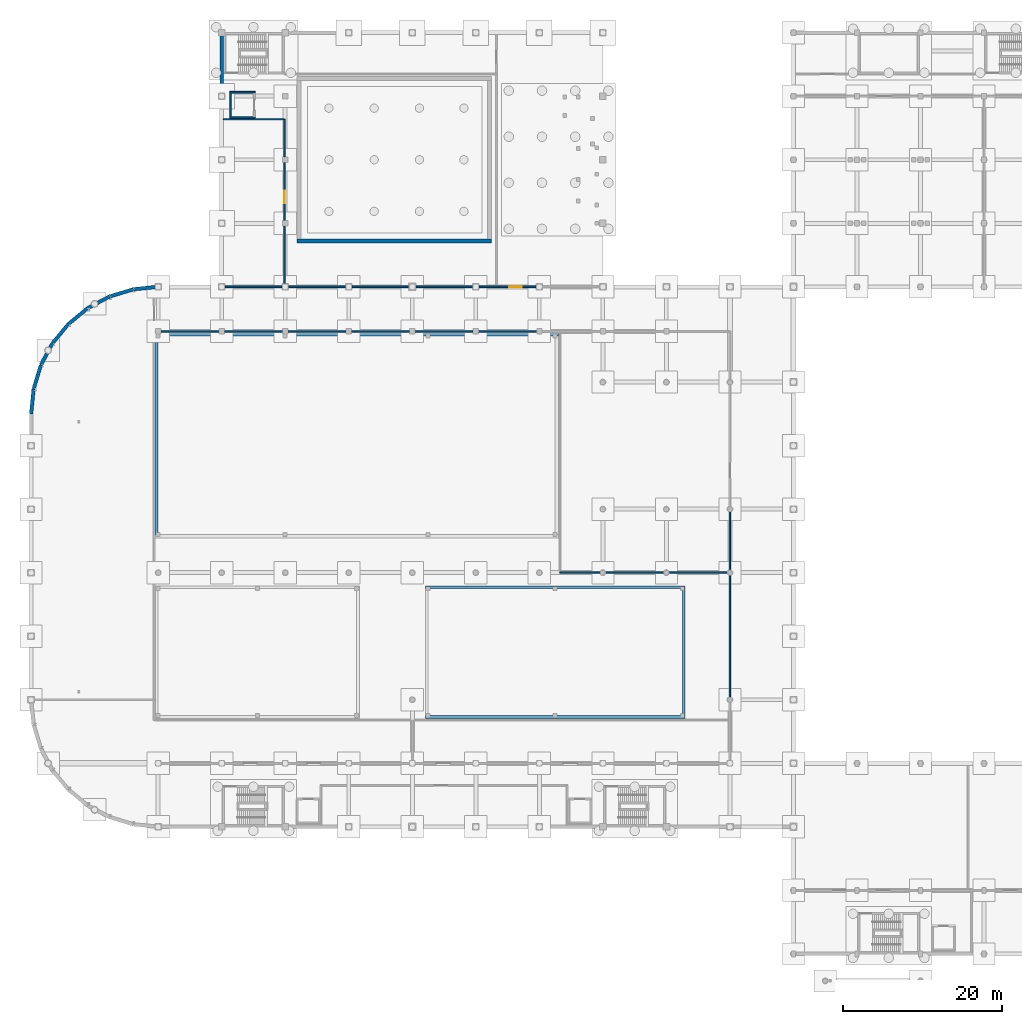
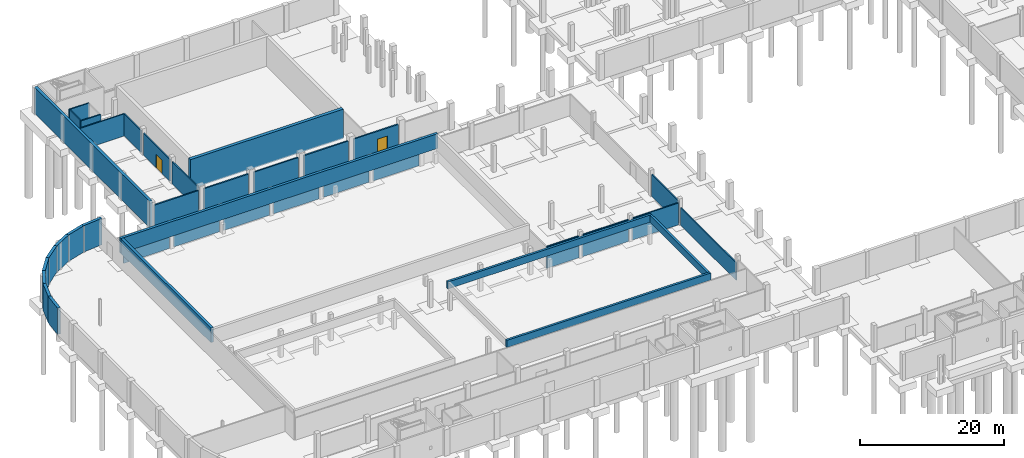
# One storey, part 22 of 29: 38 walls, 2 doors, 2 openings.
"""IFC4 building model written with IfcOpenShell, lengths in metres."""

from ifc_helpers import new_model, si_unit, direction, frame, frame_2d, origin, place, context, subcontext, project, spatial, rectangle, extrude, material, layer, layer_set, type_object, element, fill, save


model = new_model("IFC4")

# Units and contexts
model_context = context("Model", 3, precision=1e-05, world=origin(), true_north=direction((0.0, 1.0)))
body_context = subcontext(model_context, "Body", "Model", "MODEL_VIEW")
ifc_project = project(units=[si_unit("LENGTHUNIT", "METRE"), si_unit("AREAUNIT", "SQUARE_METRE"), si_unit("VOLUMEUNIT", "CUBIC_METRE"), si_unit("PLANEANGLEUNIT", "RADIAN"), si_unit("MASSUNIT", "GRAM", prefix="KILO")], contexts=[model_context])

# Site, building, storey
site_placement = place(None, origin())
site = spatial("IfcSite", under=ifc_project, at=site_placement, CompositionType="ELEMENT")
building_placement = place(site_placement, origin())
building = spatial("IfcBuilding", under=site, at=building_placement, Name="Drelvana Railside Aquatics Centre", CompositionType="ELEMENT")
storey_placement = place(building_placement, frame((0.0, 0.0, -4.800048828125)))
storey = spatial("IfcBuildingStorey", under=building, at=storey_placement, Name="B1", CompositionType="ELEMENT", Elevation=-4.800048828125)

# Walls
ifc_material_1 = material(Name="Concrete blockwork compartment wall", Category="masonry")
ifc_layer_1 = layer(ifc_material_1, 0.18505859375, Name="Concrete blockwork compartment wall")
ifc_layer_set_1 = layer_set([ifc_layer_1], Name="Concrete blockwork compartment wall")
wall_type_1 = type_object("IfcWallType", Name="WL-COMP-185", PredefinedType="STANDARD", material=ifc_layer_set_1)
wall_1_placement = place(storey_placement, frame((88.0, 32.277099609375, 0.0), z_axis=(0.0, 0.0, 1.0), x_axis=(0.0, 1.0, 0.0)))
element("IfcWall", 1, at=wall_1_placement, inside=storey, type_object=wall_type_1, Name="B1 East plant link W wall", PredefinedType="STANDARD", context=body_context, shape_type="SweptSolid", body=[
    extrude(rectangle(XDim=15.44580078125, YDim=0.18505859375, at=frame_2d((7.722900390625, 0.0))), origin(), (0.0, 0.0, 1.0), 2.949951171875),
])
wall_2_placement = place(storey_placement, frame((88.0, 48.277099609375, 0.0), z_axis=(0.0, 0.0, 1.0), x_axis=(0.0, 1.0, 0.0)))
element("IfcWall", 2, at=wall_2_placement, inside=storey, type_object=wall_type_1, Name="B1 East plant link W wall", PredefinedType="STANDARD", context=body_context, shape_type="SweptSolid", body=[
    extrude(rectangle(XDim=7.44580078125, YDim=0.18505859375, at=frame_2d((3.722900390625, 0.0))), origin(), (0.0, 0.0, 1.0), 3.75),
])
wall_3_placement = place(storey_placement, frame((66.60009765625, 48.0, 0.0), z_axis=(0.0, 0.0, 1.0), x_axis=(1.0, 0.0, 0.0)))
element("IfcWall", 3, at=wall_3_placement, inside=storey, type_object=wall_type_1, Name="B1 Calorifier hall S wall", PredefinedType="STANDARD", context=body_context, shape_type="SweptSolid", body=[
    extrude(rectangle(XDim=5.122802734375, YDim=0.18505859375, at=frame_2d((2.5615234375, 0.0))), origin(), (0.0, 0.0, 1.0), 3.699951171875),
])
for number, where, z_axis, x_axis, name in (
    (4, (72.277099609375, 48.0, 0.0), (0.0, 0.0, 1.0), (1.0, 0.0, 0.0), "B1 Calorifier hall S wall"),
    (5, (80.277099609375, 48.0, 0.0), (0.0, 0.0, 1.0), (1.0, 0.0, 0.0), "B1 Calorifier hall S wall"),
):
    element("IfcWall", number, at=place(storey_placement, frame(where, z_axis=z_axis, x_axis=x_axis)), inside=storey, type_object=wall_type_1, Name=name, PredefinedType="STANDARD", context=body_context, shape_type="SweptSolid", body=[
        extrude(rectangle(XDim=7.44580078125, YDim=0.18505859375, at=frame_2d((3.722900390625, 0.0))), origin(), (0.0, 0.0, 1.0), 3.699951171875),
    ])
for number, where, z_axis, x_axis, name in (
    (6, (16.326904296875, 78.39990234375, 0.0), (0.0, 0.0, 1.0), (1.0, 0.0, 0.0), "B1 North plant spine S wall"),
    (7, (24.326904296875, 78.39990234375, 0.0), (0.0, 0.0, 1.0), (1.0, 0.0, 0.0), "B1 North plant spine S wall"),
    (8, (32.326904296875, 78.39990234375, 0.0), (0.0, 0.0, 1.0), (1.0, 0.0, 0.0), "B1 North plant spine S wall"),
    (9, (40.326904296875, 78.39990234375, 0.0), (0.0, 0.0, 1.0), (1.0, 0.0, 0.0), "B1 North plant spine S wall"),
    (10, (48.326904296875, 78.39990234375, 0.0), (0.0, 0.0, 1.0), (1.0, 0.0, 0.0), "B1 North plant spine S wall"),
    (11, (56.326904296875, 78.39990234375, 0.0), (0.0, 0.0, 1.0), (1.0, 0.0, 0.0), "B1 North plant spine S wall"),
):
    element("IfcWall", number, at=place(storey_placement, frame(where, z_axis=z_axis, x_axis=x_axis)), inside=storey, type_object=wall_type_1, Name=name, PredefinedType="STANDARD", context=body_context, shape_type="SweptSolid", body=[
        extrude(rectangle(XDim=7.34619140625, YDim=0.18505859375, at=frame_2d((3.673095703125, 0.0))), origin(), (0.0, 0.0, 1.0), 3.699951171875),
    ])
wall_4_placement = place(storey_placement, frame((31.89990234375, 84.427001953125, 0.0), z_axis=(0.0, 0.0, 1.0), x_axis=(0.0, 1.0, 0.0)))
element("IfcWall", 12, at=wall_4_placement, inside=storey, type_object=wall_type_1, Name="B1 Diving filtration E wall", PredefinedType="STANDARD", context=body_context, shape_type="SweptSolid", body=[
    extrude(rectangle(XDim=7.24609375, YDim=0.18505859375, at=frame_2d((3.623046875, 0.0))), origin(), (0.0, 0.0, 1.0), 3.75),
])

# Wall, opening, door
wall_5_placement = place(storey_placement, frame((31.89990234375, 92.326904296875, 0.0), z_axis=(0.0, 0.0, 1.0), x_axis=(0.0, 1.0, 0.0)))
wall_5 = element("IfcWall", 13, at=wall_5_placement, inside=storey, type_object=wall_type_1, Name="B1 Diving filtration E wall", PredefinedType="STANDARD", context=body_context, shape_type="SweptSolid", body=[
    extrude(rectangle(XDim=7.34619140625, YDim=0.18505859375, at=frame_2d((3.673095703125, 0.0))), origin(), (0.0, 0.0, 1.0), 3.75),
])
opening_1_placement = place(wall_5_placement, frame((2.173095703125, 0.0, 0.0)))
opening_1 = element("IfcOpeningElement", 14, at=opening_1_placement, cuts=wall_5, Name="Opening D-04-112", PredefinedType="OPENING", context=body_context, shape_type="SweptSolid", body=[
    extrude(rectangle(XDim=1.60009765625, YDim=2.300048828125, at=frame_2d((0.800048828125, 1.14990234375))), frame((0.0, 0.1025390625, 0.0), z_axis=(0.0, -1.0, 0.0), x_axis=(1.0, 0.0, 0.0)), (0.0, 0.0, 1.0), 0.205078125),
])
ifc_material_2 = material(Name="Acoustic fire-rated steel plant door", Category="steel")
door_type = type_object("IfcDoorType", Name="DR-INT-PLANT-1600x2300", OperationType="DOUBLE_DOOR_SINGLE_SWING", PredefinedType="DOOR", material=ifc_material_2)
door_1_placement = place(opening_1_placement, origin())
door_1 = element("IfcDoor", 15, at=door_1_placement, inside=storey, type_object=door_type, Name="Diving filtration plant door D-04-112", OperationType="DOUBLE_DOOR_SINGLE_SWING", OverallHeight=2.300048828125, OverallWidth=1.60009765625, PredefinedType="DOOR", context=body_context, shape_type="SweptSolid", body=[
    extrude(rectangle(XDim=1.60009765625, YDim=2.300048828125, at=frame_2d((0.800048828125, 1.14990234375))), frame((0.0, 0.02490234375, 0.0), z_axis=(0.0, -1.0, 0.0), x_axis=(1.0, 0.0, 0.0)), (0.0, 0.0, 1.0), 0.050048828125),
])
fill(opening_1, door_1)

# Walls
wall_6_placement = place(storey_placement, frame((31.89990234375, 100.326904296875, 0.0), z_axis=(0.0, 0.0, 1.0), x_axis=(0.0, 1.0, 0.0)))
element("IfcWall", 16, at=wall_6_placement, inside=storey, type_object=wall_type_1, Name="B1 Diving filtration E wall", PredefinedType="STANDARD", context=body_context, shape_type="SweptSolid", body=[
    extrude(rectangle(XDim=4.773193359375, YDim=0.18505859375, at=frame_2d((2.38671875, 0.0))), origin(), (0.0, 0.0, 1.0), 3.75),
])
wall_7_placement = place(storey_placement, frame((24.219970703125, 105.10009765625, 0.0), z_axis=(0.0, 0.0, 1.0), x_axis=(1.0, 0.0, 0.0)))
element("IfcWall", 17, at=wall_7_placement, inside=storey, type_object=wall_type_1, Name="B1 Diving filtration N wall", PredefinedType="STANDARD", context=body_context, shape_type="SweptSolid", body=[
    extrude(rectangle(XDim=7.679931640625, YDim=0.18505859375, at=frame_2d((3.83984375, 0.0))), origin(), (0.0, 0.0, 1.0), 3.75),
])
ifc_material_3 = material(Name="Autoclaved aerated concrete masonry", Category="masonry")
ifc_layer_2 = layer(ifc_material_3, 0.22509765625, Name="Autoclaved aerated concrete masonry")
ifc_layer_set_2 = layer_set([ifc_layer_2], Name="Autoclaved aerated concrete masonry")
wall_type_2 = type_object("IfcWallType", Name="WL-COMP-225", PredefinedType="STANDARD", material=ifc_layer_set_2)
for number, where, z_axis, x_axis, name in (
    (18, (24.427001953125, 84.0, 0.0), (0.0, 0.0, 1.0), (1.0, 0.0, 0.0), "B1 Pool-Diving compartment wall"),
    (19, (32.427001953125, 84.0, 0.0), (0.0, 0.0, 1.0), (1.0, 0.0, 0.0), "B1 Pool-Diving compartment wall"),
):
    element("IfcWall", number, at=place(storey_placement, frame(where, z_axis=z_axis, x_axis=x_axis)), inside=storey, type_object=wall_type_2, Name=name, PredefinedType="STANDARD", context=body_context, shape_type="SweptSolid", body=[
        extrude(rectangle(XDim=7.14599609375, YDim=0.22509765625, at=frame_2d((3.572998046875, 0.0))), origin(), (0.0, 0.0, 1.0), 3.650146484375),
    ])
for number, where, z_axis, x_axis, name in (
    (20, (40.427001953125, 84.0, 0.0), (0.0, 0.0, 1.0), (1.0, 0.0, 0.0), "B1 Pool-Diving compartment wall"),
    (21, (48.451904296875, 84.0, 0.0), (0.0, 0.0, 1.0), (1.0, 0.0, 0.0), "B1 Pool-Diving compartment wall"),
):
    element("IfcWall", number, at=place(storey_placement, frame(where, z_axis=z_axis, x_axis=x_axis)), inside=storey, type_object=wall_type_2, Name=name, PredefinedType="STANDARD", context=body_context, shape_type="SweptSolid", body=[
        extrude(rectangle(XDim=7.12109375, YDim=0.22509765625, at=frame_2d((3.560546875, 0.0))), origin(), (0.0, 0.0, 1.0), 3.650146484375),
    ])

# Wall, opening, door
wall_8_placement = place(storey_placement, frame((56.427001953125, 84.0, 0.0), z_axis=(0.0, 0.0, 1.0), x_axis=(1.0, 0.0, 0.0)))
wall_8 = element("IfcWall", 22, at=wall_8_placement, inside=storey, type_object=wall_type_2, Name="B1 Pool-Diving compartment wall", PredefinedType="STANDARD", context=body_context, shape_type="SweptSolid", body=[
    extrude(rectangle(XDim=7.14599609375, YDim=0.22509765625, at=frame_2d((3.572998046875, 0.0))), origin(), (0.0, 0.0, 1.0), 3.650146484375),
])
opening_2_placement = place(wall_8_placement, frame((3.77294921875, 0.0, 0.0)))
opening_2 = element("IfcOpeningElement", 23, at=opening_2_placement, cuts=wall_8, Name="Opening D-04-095", PredefinedType="OPENING", context=body_context, shape_type="SweptSolid", body=[
    extrude(rectangle(XDim=1.60009765625, YDim=2.300048828125, at=frame_2d((0.800048828125, 1.14990234375))), frame((0.0, 0.12255859375, 0.0), z_axis=(0.0, -1.0, 0.0), x_axis=(1.0, 0.0, 0.0)), (0.0, 0.0, 1.0), 0.2451171875),
])
door_2_placement = place(opening_2_placement, origin())
door_2 = element("IfcDoor", 24, at=door_2_placement, inside=storey, type_object=door_type, Name="B1 Sparger room south door D-04-095", OperationType="DOUBLE_DOOR_SINGLE_SWING", OverallHeight=2.300048828125, OverallWidth=1.60009765625, PredefinedType="DOOR", context=body_context, shape_type="SweptSolid", body=[
    extrude(rectangle(XDim=1.60009765625, YDim=2.300048828125, at=frame_2d((0.800048828125, 1.14990234375))), frame((0.0, 0.02490234375, 0.0), z_axis=(0.0, -1.0, 0.0), x_axis=(1.0, 0.0, 0.0)), (0.0, 0.0, 1.0), 0.050048828125),
])
fill(opening_2, door_2)

# Walls
ifc_material_4 = material(Name="Waterproof concrete C40/50", Category="concrete")
ifc_layer_3 = layer(ifc_material_4, 0.449951171875, Name="Waterproof concrete C40/50")
ifc_layer_set_3 = layer_set([ifc_layer_3], Name="Waterproof concrete C40/50")
wall_type_3 = type_object("IfcWallType", Name="WL-RET-450", PredefinedType="SOLIDWALL", material=ifc_layer_set_3)
wall_9_placement = place(storey_placement, frame((24.0, 84.0, 0.0), z_axis=(0.0, 0.0, 1.0), x_axis=(0.0, 1.0, 0.0)))
element("IfcWall", 25, at=wall_9_placement, inside=storey, type_object=wall_type_3, Name="Basement retaining wall V2-W", PredefinedType="SOLIDWALL", context=body_context, shape_type="SweptSolid", body=[
    extrude(rectangle(XDim=32.0, YDim=0.449951171875, at=frame_2d((16.0, 0.0))), origin(), (0.0, 0.0, 1.0), 4.469970703125),
])
wall_10_placement = place(storey_placement, frame((16.0, 84.0, 0.0), z_axis=(0.0, 0.0, 1.0), x_axis=(-0.995186340733, -0.098000751113, 0.0)))
element("IfcWall", 26, at=wall_10_placement, inside=storey, type_object=wall_type_3, Name="Basement curved retaining wall V1-NW-1", PredefinedType="SOLIDWALL", context=body_context, shape_type="SweptSolid", body=[
    extrude(rectangle(XDim=3.136474609375, YDim=0.449951171875, at=frame_2d((1.568359375, 0.0))), origin(), (0.0, 0.0, 1.0), 4.469970703125),
])
wall_11_placement = place(storey_placement, frame((12.878662109375, 83.692626953125, 0.0), z_axis=(0.0, 0.0, 1.0), x_axis=(-0.956932713703, -0.29030980253, 0.0)))
element("IfcWall", 27, at=wall_11_placement, inside=storey, type_object=wall_type_3, Name="Basement curved retaining wall V1-NW-2", PredefinedType="SOLIDWALL", context=body_context, shape_type="SweptSolid", body=[
    extrude(rectangle(XDim=3.13671875, YDim=0.449951171875, at=frame_2d((1.568359375, 0.0))), origin(), (0.0, 0.0, 1.0), 4.469970703125),
])
for number, where, z_axis, x_axis, name in (
    (28, (9.876953125, 82.781982421875, 0.0), (0.0, 0.0, 1.0), (-0.881921625826, -0.471396060548, 0.0), "Basement curved retaining wall V1-NW-3"),
    (29, (7.11083984375, 81.303466796875, 0.0), (0.0, 0.0, 1.0), (-0.773016601683, -0.634385792339, 0.0), "Basement curved retaining wall V1-NW-4"),
    (30, (4.686279296875, 79.313720703125, 0.0), (0.0, 0.0, 1.0), (-0.634385792339, -0.773016601683, 0.0), "Basement curved retaining wall V1-NW-5"),
    (31, (2.696533203125, 76.88916015625, 0.0), (0.0, 0.0, 1.0), (-0.471396060548, -0.881921625826, 0.0), "Basement curved retaining wall V1-NW-6"),
):
    element("IfcWall", number, at=place(storey_placement, frame(where, z_axis=z_axis, x_axis=x_axis)), inside=storey, type_object=wall_type_3, Name=name, PredefinedType="SOLIDWALL", context=body_context, shape_type="SweptSolid", body=[
        extrude(rectangle(XDim=3.136474609375, YDim=0.449951171875, at=frame_2d((1.568359375, 0.0))), origin(), (0.0, 0.0, 1.0), 4.469970703125),
    ])
wall_12_placement = place(storey_placement, frame((1.218017578125, 74.123046875, 0.0), z_axis=(0.0, 0.0, 1.0), x_axis=(-0.29030980253, -0.956932713703, 0.0)))
element("IfcWall", 32, at=wall_12_placement, inside=storey, type_object=wall_type_3, Name="Basement curved retaining wall V1-NW-7", PredefinedType="SOLIDWALL", context=body_context, shape_type="SweptSolid", body=[
    extrude(rectangle(XDim=3.13671875, YDim=0.449951171875, at=frame_2d((1.568359375, 0.0))), origin(), (0.0, 0.0, 1.0), 4.469970703125),
])
wall_13_placement = place(storey_placement, frame((0.307373046875, 71.121337890625, 0.0), z_axis=(0.0, 0.0, 1.0), x_axis=(-0.098000751113, -0.995186340733, 0.0)))
element("IfcWall", 33, at=wall_13_placement, inside=storey, type_object=wall_type_3, Name="Basement curved retaining wall V1-NW-8", PredefinedType="SOLIDWALL", context=body_context, shape_type="SweptSolid", body=[
    extrude(rectangle(XDim=3.136474609375, YDim=0.449951171875, at=frame_2d((1.568359375, 0.0))), origin(), (0.0, 0.0, 1.0), 4.469970703125),
])
ifc_material_5 = material(Name="Concrete C40/50", Category="concrete")
ifc_layer_4 = layer(ifc_material_5, 0.199951171875, Name="Concrete C40/50")
ifc_layer_set_4 = layer_set([ifc_layer_4], Name="Concrete C40/50")
wall_type_4 = type_object("IfcWallType", Name="WL-SHFT-200", PredefinedType="SHEAR", material=ifc_layer_set_4)
for number, where, z_axis, x_axis, name in (
    (34, (25.0, 105.300048828125, 0.0), (0.0, 0.0, 1.0), (1.0, 0.0, 0.0), "Lift LG-01 S shaft wall (B1)"),
    (35, (25.0, 108.5, 0.0), (0.0, 0.0, 1.0), (1.0, 0.0, 0.0), "Lift LG-01 N shaft wall (B1)"),
):
    element("IfcWall", number, at=place(storey_placement, frame(where, z_axis=z_axis, x_axis=x_axis)), inside=storey, type_object=wall_type_4, Name=name, PredefinedType="SHEAR", context=body_context, shape_type="SweptSolid", body=[
        extrude(rectangle(XDim=3.199951171875, YDim=0.199951171875, at=frame_2d((1.60009765625, 0.0))), origin(), (0.0, 0.0, 1.0), 4.800048828125),
    ])
wall_14_placement = place(storey_placement, frame((25.10009765625, 105.39990234375, 0.0), z_axis=(0.0, 0.0, 1.0), x_axis=(0.0, 1.0, 0.0)))
element("IfcWall", 36, at=wall_14_placement, inside=storey, type_object=wall_type_4, Name="Lift LG-01 W shaft wall (B1)", PredefinedType="SHEAR", context=body_context, shape_type="SweptSolid", body=[
    extrude(rectangle(XDim=3.0, YDim=0.199951171875, at=frame_2d((1.5, 0.0))), origin(), (0.0, 0.0, 1.0), 4.800048828125),
])
ifc_layer_5 = layer(ifc_material_4, 0.35009765625, Name="Waterproof concrete C40/50")
ifc_layer_set_5 = layer_set([ifc_layer_5], Name="Waterproof concrete C40/50")
wall_type_5 = type_object("IfcWallType", Name="WL-TK-350", PredefinedType="SOLIDWALL", material=ifc_layer_set_5)
for number, where, z_axis, x_axis, name in (
    (37, (49.64990234375, 29.824951171875, 3.60009765625), (0.0, 0.0, 1.0), (1.0, 0.0, 0.0), "Leisure Pool S tank wall"),
    (38, (49.64990234375, 46.175048828125, 3.60009765625), (0.0, 0.0, 1.0), (1.0, 0.0, 0.0), "Leisure Pool N tank wall"),
):
    element("IfcWall", number, at=place(storey_placement, frame(where, z_axis=z_axis, x_axis=x_axis)), inside=storey, type_object=wall_type_5, Name=name, PredefinedType="SOLIDWALL", context=body_context, shape_type="SweptSolid", body=[
        extrude(rectangle(XDim=32.7001953125, YDim=0.35009765625, at=frame_2d((16.35009765625, 0.0))), origin(), (0.0, 0.0, 1.0), 1.199951171875),
    ])
wall_15_placement = place(storey_placement, frame((82.175048828125, 30.0, 3.60009765625), z_axis=(0.0, 0.0, 1.0), x_axis=(0.0, 1.0, 0.0)))
element("IfcWall", 39, at=wall_15_placement, inside=storey, type_object=wall_type_5, Name="Leisure Pool E tank wall", PredefinedType="SOLIDWALL", context=body_context, shape_type="SweptSolid", body=[
    extrude(rectangle(XDim=16.0, YDim=0.35009765625, at=frame_2d((8.0, 0.0))), origin(), (0.0, 0.0, 1.0), 1.199951171875),
])
ifc_layer_6 = layer(ifc_material_4, 0.419921875, Name="Waterproof concrete C40/50")
ifc_layer_set_6 = layer_set([ifc_layer_6], Name="Waterproof concrete C40/50")
wall_type_6 = type_object("IfcWallType", Name="WL-TK-420", PredefinedType="SOLIDWALL", material=ifc_layer_set_6)
wall_16_placement = place(storey_placement, frame((15.580078125, 78.010009765625, 2.300048828125), z_axis=(0.0, 0.0, 1.0), x_axis=(1.0, 0.0, 0.0)))
element("IfcWall", 40, at=wall_16_placement, inside=storey, type_object=wall_type_6, Name="Competition Pool N tank wall", PredefinedType="SOLIDWALL", context=body_context, shape_type="SweptSolid", body=[
    extrude(rectangle(XDim=50.83984375, YDim=0.419921875, at=frame_2d((25.419921875, 0.0))), origin(), (0.0, 0.0, 1.0), 2.5),
])
wall_17_placement = place(storey_placement, frame((15.7900390625, 52.800048828125, 2.300048828125), z_axis=(0.0, 0.0, 1.0), x_axis=(0.0, 1.0, 0.0)))
element("IfcWall", 41, at=wall_17_placement, inside=storey, type_object=wall_type_6, Name="Competition Pool W tank wall", PredefinedType="SOLIDWALL", context=body_context, shape_type="SweptSolid", body=[
    extrude(rectangle(XDim=25.0, YDim=0.419921875, at=frame_2d((12.5, 0.0))), origin(), (0.0, 0.0, 1.0), 2.5),
])
ifc_layer_7 = layer(ifc_material_4, 0.5, Name="Waterproof concrete C40/50")
ifc_layer_set_7 = layer_set([ifc_layer_7], Name="Waterproof concrete C40/50")
wall_type_7 = type_object("IfcWallType", Name="WL-TK-500", PredefinedType="SOLIDWALL", material=ifc_layer_set_7)
wall_18_placement = place(storey_placement, frame((33.5, 89.75, -0.199951171875), z_axis=(0.0, 0.0, 1.0), x_axis=(1.0, 0.0, 0.0)))
element("IfcWall", 42, at=wall_18_placement, inside=storey, type_object=wall_type_7, Name="Diving Pool S tank wall", PredefinedType="SOLIDWALL", context=body_context, shape_type="SweptSolid", body=[
    extrude(rectangle(XDim=24.5, YDim=0.5, at=frame_2d((12.25, 0.0))), origin(), (0.0, 0.0, 1.0), 5.0),
])

save(model, "model.ifc")
